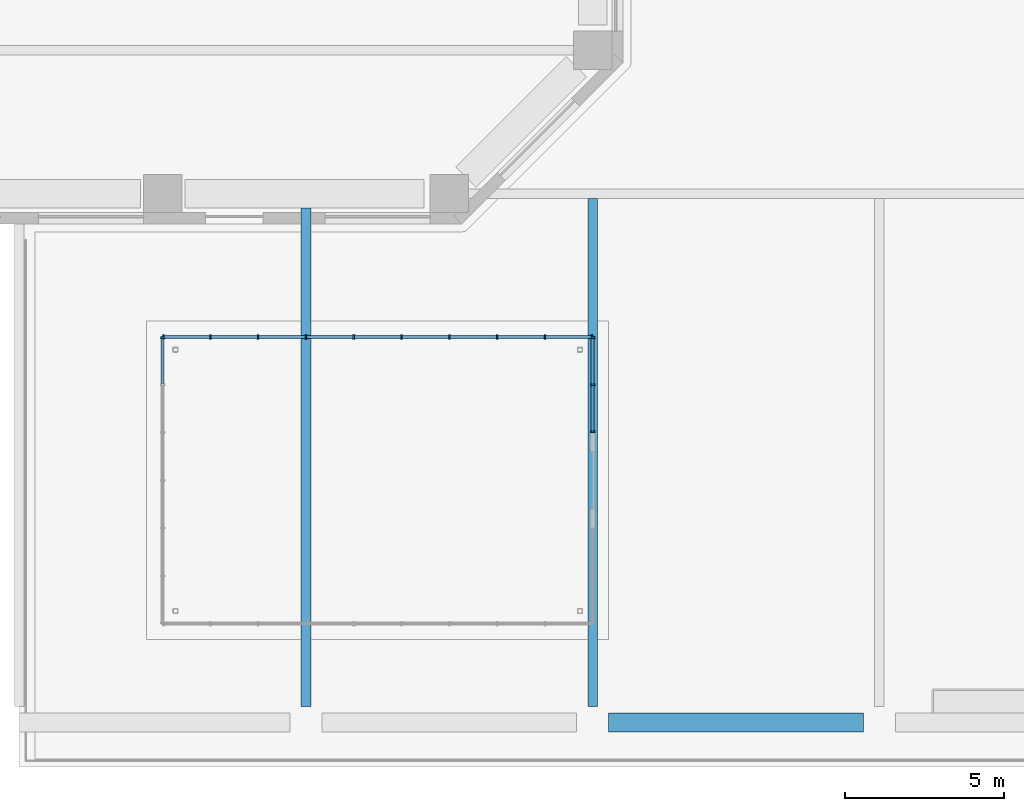
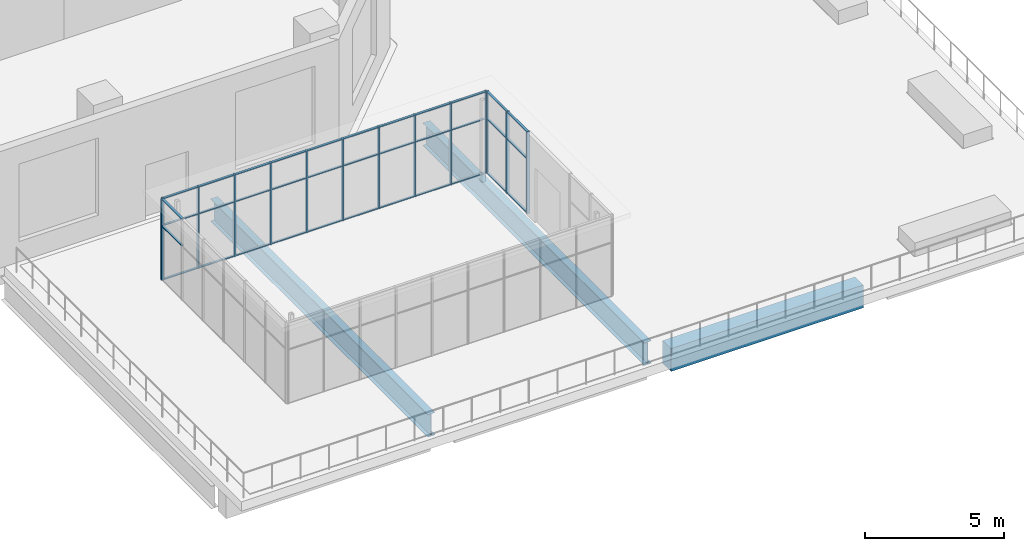
# One storey, part 10 of 33: 49 members, 3 beams, 3 elements without a shape of their own.
"""IFC4 building model written with IfcOpenShell, lengths in metres."""

from ifc_helpers import new_model, si_unit, direction, frame, origin, origin_2d, place, context, subcontext, project, spatial, rectangle, i_section, extrude, material, constituent, constituent_set, material_profile, profile_set, type_object, element, aggregate, save


model = new_model("IFC4")

# Units and contexts
model_context = context("Model", 3, precision=1e-05, world=origin(), true_north=direction((0.0, 1.0)))
body_context = subcontext(model_context, "Body", "Model", "MODEL_VIEW")
ifc_project = project(units=[si_unit("LENGTHUNIT", "METRE"), si_unit("AREAUNIT", "SQUARE_METRE"), si_unit("VOLUMEUNIT", "CUBIC_METRE"), si_unit("PLANEANGLEUNIT", "RADIAN"), si_unit("MASSUNIT", "GRAM", prefix="KILO")], contexts=[model_context])

# Site, building, storey
site_placement = place(None, origin())
site = spatial("IfcSite", under=ifc_project, at=site_placement, CompositionType="ELEMENT")
building_placement = place(site_placement, origin())
building = spatial("IfcBuilding", under=site, at=building_placement, Name="Quoin Convention Tower", CompositionType="ELEMENT")
storey_placement = place(building_placement, frame((0.0, 0.0, 8.0)))
storey = spatial("IfcBuildingStorey", under=building, at=storey_placement, Name="L01", CompositionType="ELEMENT", Elevation=8.0)

# Beams
ifc_material_1 = material(Name="Steel Grade 300", Category="steel")
ifc_material_profile_1 = material_profile(ifc_material_1, i_section(OverallWidth=0.300048828125, OverallDepth=1.0, WebThickness=0.01611328125, FlangeThickness=0.02001953125, at=origin_2d()), Name="1000WB215")
ifc_profile_set_1 = profile_set([ifc_material_profile_1], Name="Steel Grade 300")
beam_type_1 = type_object("IfcBeamType", Name="1000WB215", PredefinedType="BEAM", material=ifc_profile_set_1)
beam_1_placement = place(storey_placement, frame((72.0, 1.89990234375, -0.909912109375), z_axis=(0.0, 1.0, 0.0), x_axis=(-1.0, 0.0, 0.0)))
element("IfcBeam", 1, at=beam_1_placement, inside=storey, type_object=beam_type_1, Name="gir-L01-deck-N72000_1900", PredefinedType="BEAM", context=body_context, shape_type="SweptSolid", body=[
    extrude(i_section(OverallWidth=0.300048828125, OverallDepth=1.0, WebThickness=0.01611328125, FlangeThickness=0.02001953125, at=origin_2d()), origin(), (0.0, 0.0, 1.0), 15.650146484375),
])
beam_2_placement = place(storey_placement, frame((81.0, 1.89990234375, -0.909912109375), z_axis=(0.0, 1.0, 0.0), x_axis=(-1.0, 0.0, 0.0)))
element("IfcBeam", 2, at=beam_2_placement, inside=storey, type_object=beam_type_1, Name="gir-L01-deck-N81000_1900", PredefinedType="BEAM", context=body_context, shape_type="SweptSolid", body=[
    extrude(i_section(OverallWidth=0.300048828125, OverallDepth=1.0, WebThickness=0.01611328125, FlangeThickness=0.02001953125, at=origin_2d()), origin(), (0.0, 0.0, 1.0), 15.9501953125),
])

# Curtain wall, members
ifc_material_2 = material(Name="Aluminium", Category="aluminium")
ifc_constituent_1 = constituent(ifc_material_2, Name="Frame")
ifc_material_3 = material(Name="Insulated glass", Category="glass")
ifc_constituent_2 = constituent(ifc_material_3, Name="Glazing")
ifc_constituent_set = constituent_set(constituents=[ifc_constituent_1, ifc_constituent_2], Name="Aluminium")
curtain_wall_type = type_object("IfcCurtainWallType", Name="Garden pavilion glazing system", PredefinedType="NOTDEFINED", material=ifc_constituent_set)
curtain_wall_1_placement = place(storey_placement, origin())
curtain_wall_1 = element("IfcCurtainWall", 3, at=curtain_wall_1_placement, inside=storey, type_object=curtain_wall_type, Name="cw-PAV-E0-81000_10500", PredefinedType="NOTDEFINED")
ifc_material_profile_2 = material_profile(ifc_material_2, rectangle(XDim=0.1298828125, YDim=0.050048828125, at=origin_2d()), Name="Garden pavilion glazing mullion 50x130")
ifc_profile_set_2 = profile_set([ifc_material_profile_2], Name="Aluminium")
member_type_1 = type_object("IfcMemberType", Name="Garden pavilion glazing mullion 50x130", PredefinedType="MULLION", material=ifc_profile_set_2)
member_1_placement = place(storey_placement, frame((81.0, 10.52490234375, 0.0), z_axis=(0.0, 0.0, 1.0), x_axis=(-1.0, 0.0, 0.0)))
member_1 = element("IfcMember", 4, at=member_1_placement, type_object=member_type_1, Name="CW4 mullion 1", PredefinedType="MULLION", context=body_context, shape_type="SweptSolid", body=[
    extrude(rectangle(XDim=0.1298828125, YDim=0.050048828125, at=origin_2d()), origin(), (0.0, 0.0, 1.0), 3.60009765625),
])
member_2_placement = place(storey_placement, frame((81.0, 12.0, 0.0), z_axis=(0.0, 0.0, 1.0), x_axis=(-1.0, 0.0, 0.0)))
member_2 = element("IfcMember", 5, at=member_2_placement, type_object=member_type_1, Name="CW4 mullion 2", PredefinedType="MULLION", context=body_context, shape_type="SweptSolid", body=[
    extrude(rectangle(XDim=0.1298828125, YDim=0.050048828125, at=origin_2d()), origin(), (0.0, 0.0, 1.0), 3.60009765625),
])
member_3_placement = place(storey_placement, frame((81.0, 13.47509765625, 0.0), z_axis=(0.0, 0.0, 1.0), x_axis=(-1.0, 0.0, 0.0)))
member_3 = element("IfcMember", 6, at=member_3_placement, type_object=member_type_1, Name="CW4 mullion 3", PredefinedType="MULLION", context=body_context, shape_type="SweptSolid", body=[
    extrude(rectangle(XDim=0.1298828125, YDim=0.050048828125, at=origin_2d()), origin(), (0.0, 0.0, 1.0), 3.60009765625),
])

curtain_wall_2_placement = place(storey_placement, origin())
curtain_wall_2 = element("IfcCurtainWall", 7, at=curtain_wall_2_placement, inside=storey, type_object=curtain_wall_type, Name="cw-PAV-E1-81000_13500", PredefinedType="NOTDEFINED")
member_4_placement = place(storey_placement, frame((80.97509765625, 13.5, 0.0), z_axis=(0.0, 0.0, 1.0), x_axis=(0.0, -1.0, 0.0)))
member_4 = element("IfcMember", 8, at=member_4_placement, type_object=member_type_1, Name="CW4 mullion 1", PredefinedType="MULLION", context=body_context, shape_type="SweptSolid", body=[
    extrude(rectangle(XDim=0.1298828125, YDim=0.050048828125, at=origin_2d()), origin(), (0.0, 0.0, 1.0), 3.60009765625),
])
member_5_placement = place(storey_placement, frame((79.5, 13.5, 0.0), z_axis=(0.0, 0.0, 1.0), x_axis=(0.0, -1.0, 0.0)))
member_5 = element("IfcMember", 9, at=member_5_placement, type_object=member_type_1, Name="CW4 mullion 2", PredefinedType="MULLION", context=body_context, shape_type="SweptSolid", body=[
    extrude(rectangle(XDim=0.1298828125, YDim=0.050048828125, at=origin_2d()), origin(), (0.0, 0.0, 1.0), 3.60009765625),
])
member_6_placement = place(storey_placement, frame((78.0, 13.5, 0.0), z_axis=(0.0, 0.0, 1.0), x_axis=(0.0, -1.0, 0.0)))
member_6 = element("IfcMember", 10, at=member_6_placement, type_object=member_type_1, Name="CW4 mullion 3", PredefinedType="MULLION", context=body_context, shape_type="SweptSolid", body=[
    extrude(rectangle(XDim=0.1298828125, YDim=0.050048828125, at=origin_2d()), origin(), (0.0, 0.0, 1.0), 3.60009765625),
])
member_7_placement = place(storey_placement, frame((76.5, 13.5, 0.0), z_axis=(0.0, 0.0, 1.0), x_axis=(0.0, -1.0, 0.0)))
member_7 = element("IfcMember", 11, at=member_7_placement, type_object=member_type_1, Name="CW4 mullion 4", PredefinedType="MULLION", context=body_context, shape_type="SweptSolid", body=[
    extrude(rectangle(XDim=0.1298828125, YDim=0.050048828125, at=origin_2d()), origin(), (0.0, 0.0, 1.0), 3.60009765625),
])
member_8_placement = place(storey_placement, frame((75.0, 13.5, 0.0), z_axis=(0.0, 0.0, 1.0), x_axis=(0.0, -1.0, 0.0)))
member_8 = element("IfcMember", 12, at=member_8_placement, type_object=member_type_1, Name="CW4 mullion 5", PredefinedType="MULLION", context=body_context, shape_type="SweptSolid", body=[
    extrude(rectangle(XDim=0.1298828125, YDim=0.050048828125, at=origin_2d()), origin(), (0.0, 0.0, 1.0), 3.60009765625),
])
member_9_placement = place(storey_placement, frame((73.5, 13.5, 0.0), z_axis=(0.0, 0.0, 1.0), x_axis=(0.0, -1.0, 0.0)))
member_9 = element("IfcMember", 13, at=member_9_placement, type_object=member_type_1, Name="CW4 mullion 6", PredefinedType="MULLION", context=body_context, shape_type="SweptSolid", body=[
    extrude(rectangle(XDim=0.1298828125, YDim=0.050048828125, at=origin_2d()), origin(), (0.0, 0.0, 1.0), 3.60009765625),
])
member_10_placement = place(storey_placement, frame((72.0, 13.5, 0.0), z_axis=(0.0, 0.0, 1.0), x_axis=(0.0, -1.0, 0.0)))
member_10 = element("IfcMember", 14, at=member_10_placement, type_object=member_type_1, Name="CW4 mullion 7", PredefinedType="MULLION", context=body_context, shape_type="SweptSolid", body=[
    extrude(rectangle(XDim=0.1298828125, YDim=0.050048828125, at=origin_2d()), origin(), (0.0, 0.0, 1.0), 3.60009765625),
])
member_11_placement = place(storey_placement, frame((70.5, 13.5, 0.0), z_axis=(0.0, 0.0, 1.0), x_axis=(0.0, -1.0, 0.0)))
member_11 = element("IfcMember", 15, at=member_11_placement, type_object=member_type_1, Name="CW4 mullion 8", PredefinedType="MULLION", context=body_context, shape_type="SweptSolid", body=[
    extrude(rectangle(XDim=0.1298828125, YDim=0.050048828125, at=origin_2d()), origin(), (0.0, 0.0, 1.0), 3.60009765625),
])
member_12_placement = place(storey_placement, frame((69.0, 13.5, 0.0), z_axis=(0.0, 0.0, 1.0), x_axis=(0.0, -1.0, 0.0)))
member_12 = element("IfcMember", 16, at=member_12_placement, type_object=member_type_1, Name="CW4 mullion 9", PredefinedType="MULLION", context=body_context, shape_type="SweptSolid", body=[
    extrude(rectangle(XDim=0.1298828125, YDim=0.050048828125, at=origin_2d()), origin(), (0.0, 0.0, 1.0), 3.60009765625),
])
member_13_placement = place(storey_placement, frame((67.52490234375, 13.5, 0.0), z_axis=(0.0, 0.0, 1.0), x_axis=(0.0, -1.0, 0.0)))
member_13 = element("IfcMember", 17, at=member_13_placement, type_object=member_type_1, Name="CW4 mullion 10", PredefinedType="MULLION", context=body_context, shape_type="SweptSolid", body=[
    extrude(rectangle(XDim=0.1298828125, YDim=0.050048828125, at=origin_2d()), origin(), (0.0, 0.0, 1.0), 3.60009765625),
])

# Curtain wall, member
curtain_wall_3_placement = place(storey_placement, origin())
curtain_wall_3 = element("IfcCurtainWall", 18, at=curtain_wall_3_placement, inside=storey, type_object=curtain_wall_type, Name="cw-PAV-E2-67500_13500", PredefinedType="NOTDEFINED")
member_14_placement = place(storey_placement, frame((67.5, 13.47509765625, 0.0), z_axis=(0.0, 0.0, 1.0), x_axis=(1.0, 0.0, 0.0)))
member_14 = element("IfcMember", 19, at=member_14_placement, type_object=member_type_1, Name="CW4 mullion 1", PredefinedType="MULLION", context=body_context, shape_type="SweptSolid", body=[
    extrude(rectangle(XDim=0.1298828125, YDim=0.050048828125, at=origin_2d()), origin(), (0.0, 0.0, 1.0), 3.60009765625),
])

# Member
ifc_material_profile_3 = material_profile(ifc_material_2, rectangle(XDim=0.090087890625, YDim=0.0400390625, at=origin_2d()), Name="Garden pavilion glazing transom 40x90")
ifc_profile_set_3 = profile_set([ifc_material_profile_3], Name="Aluminium")
member_type_2 = type_object("IfcMemberType", Name="Garden pavilion glazing transom 40x90", PredefinedType="USERDEFINED", material=ifc_profile_set_3)
member_15_placement = place(storey_placement, frame((81.0, 10.550048828125, 0.02001953125), z_axis=(0.0, 1.0, 0.0), x_axis=(-1.0, 0.0, 0.0)))
member_15 = element("IfcMember", 20, at=member_15_placement, type_object=member_type_2, Name="CW4 transom 1.1", ObjectType="TRANSOM", PredefinedType="USERDEFINED", context=body_context, shape_type="SweptSolid", body=[
    extrude(rectangle(XDim=0.090087890625, YDim=0.0400390625, at=origin_2d()), origin(), (0.0, 0.0, 1.0), 1.425048828125),
])

member_16_placement = place(storey_placement, frame((81.0, 10.550048828125, 2.39990234375), z_axis=(0.0, 1.0, 0.0), x_axis=(-1.0, 0.0, 0.0)))
member_16 = element("IfcMember", 21, at=member_16_placement, type_object=member_type_2, Name="CW4 transom 1.2", ObjectType="TRANSOM", PredefinedType="USERDEFINED", context=body_context, shape_type="SweptSolid", body=[
    extrude(rectangle(XDim=0.090087890625, YDim=0.0400390625, at=origin_2d()), origin(), (0.0, 0.0, 1.0), 1.425048828125),
])

member_17_placement = place(storey_placement, frame((81.0, 10.550048828125, 3.580078125), z_axis=(0.0, 1.0, 0.0), x_axis=(-1.0, 0.0, 0.0)))
member_17 = element("IfcMember", 22, at=member_17_placement, type_object=member_type_2, Name="CW4 transom 1.3", ObjectType="TRANSOM", PredefinedType="USERDEFINED", context=body_context, shape_type="SweptSolid", body=[
    extrude(rectangle(XDim=0.090087890625, YDim=0.0400390625, at=origin_2d()), origin(), (0.0, 0.0, 1.0), 1.425048828125),
])

member_18_placement = place(storey_placement, frame((81.0, 12.02490234375, 0.02001953125), z_axis=(0.0, 1.0, 0.0), x_axis=(-1.0, 0.0, 0.0)))
member_18 = element("IfcMember", 23, at=member_18_placement, type_object=member_type_2, Name="CW4 transom 2.1", ObjectType="TRANSOM", PredefinedType="USERDEFINED", context=body_context, shape_type="SweptSolid", body=[
    extrude(rectangle(XDim=0.090087890625, YDim=0.0400390625, at=origin_2d()), origin(), (0.0, 0.0, 1.0), 1.425048828125),
])

member_19_placement = place(storey_placement, frame((81.0, 12.02490234375, 2.39990234375), z_axis=(0.0, 1.0, 0.0), x_axis=(-1.0, 0.0, 0.0)))
member_19 = element("IfcMember", 24, at=member_19_placement, type_object=member_type_2, Name="CW4 transom 2.2", ObjectType="TRANSOM", PredefinedType="USERDEFINED", context=body_context, shape_type="SweptSolid", body=[
    extrude(rectangle(XDim=0.090087890625, YDim=0.0400390625, at=origin_2d()), origin(), (0.0, 0.0, 1.0), 1.425048828125),
])

member_20_placement = place(storey_placement, frame((81.0, 12.02490234375, 3.580078125), z_axis=(0.0, 1.0, 0.0), x_axis=(-1.0, 0.0, 0.0)))
member_20 = element("IfcMember", 25, at=member_20_placement, type_object=member_type_2, Name="CW4 transom 2.3", ObjectType="TRANSOM", PredefinedType="USERDEFINED", context=body_context, shape_type="SweptSolid", body=[
    extrude(rectangle(XDim=0.090087890625, YDim=0.0400390625, at=origin_2d()), origin(), (0.0, 0.0, 1.0), 1.425048828125),
])

aggregate(curtain_wall_1, [member_1, member_2, member_3, member_15, member_16, member_17, member_18, member_19, member_20])

member_21_placement = place(storey_placement, frame((80.949951171875, 13.5, 0.02001953125), z_axis=(-1.0, 0.0, 0.0), x_axis=(0.0, -1.0, 0.0)))
member_21 = element("IfcMember", 26, at=member_21_placement, type_object=member_type_2, Name="CW4 transom 1.1", ObjectType="TRANSOM", PredefinedType="USERDEFINED", context=body_context, shape_type="SweptSolid", body=[
    extrude(rectangle(XDim=0.090087890625, YDim=0.0400390625, at=origin_2d()), origin(), (0.0, 0.0, 1.0), 1.425048828125),
])

member_22_placement = place(storey_placement, frame((80.949951171875, 13.5, 2.39990234375), z_axis=(-1.0, 0.0, 0.0), x_axis=(0.0, -1.0, 0.0)))
member_22 = element("IfcMember", 27, at=member_22_placement, type_object=member_type_2, Name="CW4 transom 1.2", ObjectType="TRANSOM", PredefinedType="USERDEFINED", context=body_context, shape_type="SweptSolid", body=[
    extrude(rectangle(XDim=0.090087890625, YDim=0.0400390625, at=origin_2d()), origin(), (0.0, 0.0, 1.0), 1.425048828125),
])

member_23_placement = place(storey_placement, frame((80.949951171875, 13.5, 3.580078125), z_axis=(-1.0, 0.0, 0.0), x_axis=(0.0, -1.0, 0.0)))
member_23 = element("IfcMember", 28, at=member_23_placement, type_object=member_type_2, Name="CW4 transom 1.3", ObjectType="TRANSOM", PredefinedType="USERDEFINED", context=body_context, shape_type="SweptSolid", body=[
    extrude(rectangle(XDim=0.090087890625, YDim=0.0400390625, at=origin_2d()), origin(), (0.0, 0.0, 1.0), 1.425048828125),
])

member_24_placement = place(storey_placement, frame((79.47509765625, 13.5, 0.02001953125), z_axis=(-1.0, 0.0, 0.0), x_axis=(0.0, -1.0, 0.0)))
member_24 = element("IfcMember", 29, at=member_24_placement, type_object=member_type_2, Name="CW4 transom 2.1", ObjectType="TRANSOM", PredefinedType="USERDEFINED", context=body_context, shape_type="SweptSolid", body=[
    extrude(rectangle(XDim=0.090087890625, YDim=0.0400390625, at=origin_2d()), origin(), (0.0, 0.0, 1.0), 1.4501953125),
])

member_25_placement = place(storey_placement, frame((79.47509765625, 13.5, 2.39990234375), z_axis=(-1.0, 0.0, 0.0), x_axis=(0.0, -1.0, 0.0)))
member_25 = element("IfcMember", 30, at=member_25_placement, type_object=member_type_2, Name="CW4 transom 2.2", ObjectType="TRANSOM", PredefinedType="USERDEFINED", context=body_context, shape_type="SweptSolid", body=[
    extrude(rectangle(XDim=0.090087890625, YDim=0.0400390625, at=origin_2d()), origin(), (0.0, 0.0, 1.0), 1.4501953125),
])

member_26_placement = place(storey_placement, frame((79.47509765625, 13.5, 3.580078125), z_axis=(-1.0, 0.0, 0.0), x_axis=(0.0, -1.0, 0.0)))
member_26 = element("IfcMember", 31, at=member_26_placement, type_object=member_type_2, Name="CW4 transom 2.3", ObjectType="TRANSOM", PredefinedType="USERDEFINED", context=body_context, shape_type="SweptSolid", body=[
    extrude(rectangle(XDim=0.090087890625, YDim=0.0400390625, at=origin_2d()), origin(), (0.0, 0.0, 1.0), 1.4501953125),
])

member_27_placement = place(storey_placement, frame((77.97509765625, 13.5, 0.02001953125), z_axis=(-1.0, 0.0, 0.0), x_axis=(0.0, -1.0, 0.0)))
member_27 = element("IfcMember", 32, at=member_27_placement, type_object=member_type_2, Name="CW4 transom 3.1", ObjectType="TRANSOM", PredefinedType="USERDEFINED", context=body_context, shape_type="SweptSolid", body=[
    extrude(rectangle(XDim=0.090087890625, YDim=0.0400390625, at=origin_2d()), origin(), (0.0, 0.0, 1.0), 1.4501953125),
])

member_28_placement = place(storey_placement, frame((77.97509765625, 13.5, 2.39990234375), z_axis=(-1.0, 0.0, 0.0), x_axis=(0.0, -1.0, 0.0)))
member_28 = element("IfcMember", 33, at=member_28_placement, type_object=member_type_2, Name="CW4 transom 3.2", ObjectType="TRANSOM", PredefinedType="USERDEFINED", context=body_context, shape_type="SweptSolid", body=[
    extrude(rectangle(XDim=0.090087890625, YDim=0.0400390625, at=origin_2d()), origin(), (0.0, 0.0, 1.0), 1.4501953125),
])

member_29_placement = place(storey_placement, frame((77.97509765625, 13.5, 3.580078125), z_axis=(-1.0, 0.0, 0.0), x_axis=(0.0, -1.0, 0.0)))
member_29 = element("IfcMember", 34, at=member_29_placement, type_object=member_type_2, Name="CW4 transom 3.3", ObjectType="TRANSOM", PredefinedType="USERDEFINED", context=body_context, shape_type="SweptSolid", body=[
    extrude(rectangle(XDim=0.090087890625, YDim=0.0400390625, at=origin_2d()), origin(), (0.0, 0.0, 1.0), 1.4501953125),
])

member_30_placement = place(storey_placement, frame((76.47509765625, 13.5, 0.02001953125), z_axis=(-1.0, 0.0, 0.0), x_axis=(0.0, -1.0, 0.0)))
member_30 = element("IfcMember", 35, at=member_30_placement, type_object=member_type_2, Name="CW4 transom 4.1", ObjectType="TRANSOM", PredefinedType="USERDEFINED", context=body_context, shape_type="SweptSolid", body=[
    extrude(rectangle(XDim=0.090087890625, YDim=0.0400390625, at=origin_2d()), origin(), (0.0, 0.0, 1.0), 1.4501953125),
])

member_31_placement = place(storey_placement, frame((76.47509765625, 13.5, 2.39990234375), z_axis=(-1.0, 0.0, 0.0), x_axis=(0.0, -1.0, 0.0)))
member_31 = element("IfcMember", 36, at=member_31_placement, type_object=member_type_2, Name="CW4 transom 4.2", ObjectType="TRANSOM", PredefinedType="USERDEFINED", context=body_context, shape_type="SweptSolid", body=[
    extrude(rectangle(XDim=0.090087890625, YDim=0.0400390625, at=origin_2d()), origin(), (0.0, 0.0, 1.0), 1.4501953125),
])

member_32_placement = place(storey_placement, frame((76.47509765625, 13.5, 3.580078125), z_axis=(-1.0, 0.0, 0.0), x_axis=(0.0, -1.0, 0.0)))
member_32 = element("IfcMember", 37, at=member_32_placement, type_object=member_type_2, Name="CW4 transom 4.3", ObjectType="TRANSOM", PredefinedType="USERDEFINED", context=body_context, shape_type="SweptSolid", body=[
    extrude(rectangle(XDim=0.090087890625, YDim=0.0400390625, at=origin_2d()), origin(), (0.0, 0.0, 1.0), 1.4501953125),
])

member_33_placement = place(storey_placement, frame((74.97509765625, 13.5, 0.02001953125), z_axis=(-1.0, 0.0, 0.0), x_axis=(0.0, -1.0, 0.0)))
member_33 = element("IfcMember", 38, at=member_33_placement, type_object=member_type_2, Name="CW4 transom 5.1", ObjectType="TRANSOM", PredefinedType="USERDEFINED", context=body_context, shape_type="SweptSolid", body=[
    extrude(rectangle(XDim=0.090087890625, YDim=0.0400390625, at=origin_2d()), origin(), (0.0, 0.0, 1.0), 1.4501953125),
])

member_34_placement = place(storey_placement, frame((74.97509765625, 13.5, 2.39990234375), z_axis=(-1.0, 0.0, 0.0), x_axis=(0.0, -1.0, 0.0)))
member_34 = element("IfcMember", 39, at=member_34_placement, type_object=member_type_2, Name="CW4 transom 5.2", ObjectType="TRANSOM", PredefinedType="USERDEFINED", context=body_context, shape_type="SweptSolid", body=[
    extrude(rectangle(XDim=0.090087890625, YDim=0.0400390625, at=origin_2d()), origin(), (0.0, 0.0, 1.0), 1.4501953125),
])

member_35_placement = place(storey_placement, frame((74.97509765625, 13.5, 3.580078125), z_axis=(-1.0, 0.0, 0.0), x_axis=(0.0, -1.0, 0.0)))
member_35 = element("IfcMember", 40, at=member_35_placement, type_object=member_type_2, Name="CW4 transom 5.3", ObjectType="TRANSOM", PredefinedType="USERDEFINED", context=body_context, shape_type="SweptSolid", body=[
    extrude(rectangle(XDim=0.090087890625, YDim=0.0400390625, at=origin_2d()), origin(), (0.0, 0.0, 1.0), 1.4501953125),
])

member_36_placement = place(storey_placement, frame((73.47509765625, 13.5, 0.02001953125), z_axis=(-1.0, 0.0, 0.0), x_axis=(0.0, -1.0, 0.0)))
member_36 = element("IfcMember", 41, at=member_36_placement, type_object=member_type_2, Name="CW4 transom 6.1", ObjectType="TRANSOM", PredefinedType="USERDEFINED", context=body_context, shape_type="SweptSolid", body=[
    extrude(rectangle(XDim=0.090087890625, YDim=0.0400390625, at=origin_2d()), origin(), (0.0, 0.0, 1.0), 1.4501953125),
])

member_37_placement = place(storey_placement, frame((73.47509765625, 13.5, 2.39990234375), z_axis=(-1.0, 0.0, 0.0), x_axis=(0.0, -1.0, 0.0)))
member_37 = element("IfcMember", 42, at=member_37_placement, type_object=member_type_2, Name="CW4 transom 6.2", ObjectType="TRANSOM", PredefinedType="USERDEFINED", context=body_context, shape_type="SweptSolid", body=[
    extrude(rectangle(XDim=0.090087890625, YDim=0.0400390625, at=origin_2d()), origin(), (0.0, 0.0, 1.0), 1.4501953125),
])

member_38_placement = place(storey_placement, frame((73.47509765625, 13.5, 3.580078125), z_axis=(-1.0, 0.0, 0.0), x_axis=(0.0, -1.0, 0.0)))
member_38 = element("IfcMember", 43, at=member_38_placement, type_object=member_type_2, Name="CW4 transom 6.3", ObjectType="TRANSOM", PredefinedType="USERDEFINED", context=body_context, shape_type="SweptSolid", body=[
    extrude(rectangle(XDim=0.090087890625, YDim=0.0400390625, at=origin_2d()), origin(), (0.0, 0.0, 1.0), 1.4501953125),
])

member_39_placement = place(storey_placement, frame((71.97509765625, 13.5, 0.02001953125), z_axis=(-1.0, 0.0, 0.0), x_axis=(0.0, -1.0, 0.0)))
member_39 = element("IfcMember", 44, at=member_39_placement, type_object=member_type_2, Name="CW4 transom 7.1", ObjectType="TRANSOM", PredefinedType="USERDEFINED", context=body_context, shape_type="SweptSolid", body=[
    extrude(rectangle(XDim=0.090087890625, YDim=0.0400390625, at=origin_2d()), origin(), (0.0, 0.0, 1.0), 1.4501953125),
])

member_40_placement = place(storey_placement, frame((71.97509765625, 13.5, 2.39990234375), z_axis=(-1.0, 0.0, 0.0), x_axis=(0.0, -1.0, 0.0)))
member_40 = element("IfcMember", 45, at=member_40_placement, type_object=member_type_2, Name="CW4 transom 7.2", ObjectType="TRANSOM", PredefinedType="USERDEFINED", context=body_context, shape_type="SweptSolid", body=[
    extrude(rectangle(XDim=0.090087890625, YDim=0.0400390625, at=origin_2d()), origin(), (0.0, 0.0, 1.0), 1.4501953125),
])

member_41_placement = place(storey_placement, frame((71.97509765625, 13.5, 3.580078125), z_axis=(-1.0, 0.0, 0.0), x_axis=(0.0, -1.0, 0.0)))
member_41 = element("IfcMember", 46, at=member_41_placement, type_object=member_type_2, Name="CW4 transom 7.3", ObjectType="TRANSOM", PredefinedType="USERDEFINED", context=body_context, shape_type="SweptSolid", body=[
    extrude(rectangle(XDim=0.090087890625, YDim=0.0400390625, at=origin_2d()), origin(), (0.0, 0.0, 1.0), 1.4501953125),
])

member_42_placement = place(storey_placement, frame((70.47509765625, 13.5, 0.02001953125), z_axis=(-1.0, 0.0, 0.0), x_axis=(0.0, -1.0, 0.0)))
member_42 = element("IfcMember", 47, at=member_42_placement, type_object=member_type_2, Name="CW4 transom 8.1", ObjectType="TRANSOM", PredefinedType="USERDEFINED", context=body_context, shape_type="SweptSolid", body=[
    extrude(rectangle(XDim=0.090087890625, YDim=0.0400390625, at=origin_2d()), origin(), (0.0, 0.0, 1.0), 1.4501953125),
])

member_43_placement = place(storey_placement, frame((70.47509765625, 13.5, 2.39990234375), z_axis=(-1.0, 0.0, 0.0), x_axis=(0.0, -1.0, 0.0)))
member_43 = element("IfcMember", 48, at=member_43_placement, type_object=member_type_2, Name="CW4 transom 8.2", ObjectType="TRANSOM", PredefinedType="USERDEFINED", context=body_context, shape_type="SweptSolid", body=[
    extrude(rectangle(XDim=0.090087890625, YDim=0.0400390625, at=origin_2d()), origin(), (0.0, 0.0, 1.0), 1.4501953125),
])

member_44_placement = place(storey_placement, frame((70.47509765625, 13.5, 3.580078125), z_axis=(-1.0, 0.0, 0.0), x_axis=(0.0, -1.0, 0.0)))
member_44 = element("IfcMember", 49, at=member_44_placement, type_object=member_type_2, Name="CW4 transom 8.3", ObjectType="TRANSOM", PredefinedType="USERDEFINED", context=body_context, shape_type="SweptSolid", body=[
    extrude(rectangle(XDim=0.090087890625, YDim=0.0400390625, at=origin_2d()), origin(), (0.0, 0.0, 1.0), 1.4501953125),
])

member_45_placement = place(storey_placement, frame((68.97509765625, 13.5, 0.02001953125), z_axis=(-1.0, 0.0, 0.0), x_axis=(0.0, -1.0, 0.0)))
member_45 = element("IfcMember", 50, at=member_45_placement, type_object=member_type_2, Name="CW4 transom 9.1", ObjectType="TRANSOM", PredefinedType="USERDEFINED", context=body_context, shape_type="SweptSolid", body=[
    extrude(rectangle(XDim=0.090087890625, YDim=0.0400390625, at=origin_2d()), origin(), (0.0, 0.0, 1.0), 1.425048828125),
])

member_46_placement = place(storey_placement, frame((68.97509765625, 13.5, 2.39990234375), z_axis=(-1.0, 0.0, 0.0), x_axis=(0.0, -1.0, 0.0)))
member_46 = element("IfcMember", 51, at=member_46_placement, type_object=member_type_2, Name="CW4 transom 9.2", ObjectType="TRANSOM", PredefinedType="USERDEFINED", context=body_context, shape_type="SweptSolid", body=[
    extrude(rectangle(XDim=0.090087890625, YDim=0.0400390625, at=origin_2d()), origin(), (0.0, 0.0, 1.0), 1.425048828125),
])

member_47_placement = place(storey_placement, frame((68.97509765625, 13.5, 3.580078125), z_axis=(-1.0, 0.0, 0.0), x_axis=(0.0, -1.0, 0.0)))
member_47 = element("IfcMember", 52, at=member_47_placement, type_object=member_type_2, Name="CW4 transom 9.3", ObjectType="TRANSOM", PredefinedType="USERDEFINED", context=body_context, shape_type="SweptSolid", body=[
    extrude(rectangle(XDim=0.090087890625, YDim=0.0400390625, at=origin_2d()), origin(), (0.0, 0.0, 1.0), 1.425048828125),
])

aggregate(curtain_wall_2, [member_4, member_5, member_6, member_7, member_8, member_9, member_10, member_11, member_12, member_13, member_21, member_22, member_23, member_24, member_25, member_26, member_27, member_28, member_29, member_30, member_31, member_32, member_33, member_34, member_35, member_36, member_37, member_38, member_39, member_40, member_41, member_42, member_43, member_44, member_45, member_46, member_47])

member_48_placement = place(storey_placement, frame((67.5, 13.449951171875, 2.39990234375), z_axis=(0.0, -1.0, 0.0), x_axis=(1.0, 0.0, 0.0)))
member_48 = element("IfcMember", 53, at=member_48_placement, type_object=member_type_2, Name="CW4 transom 1.2", ObjectType="TRANSOM", PredefinedType="USERDEFINED", context=body_context, shape_type="SweptSolid", body=[
    extrude(rectangle(XDim=0.090087890625, YDim=0.0400390625, at=origin_2d()), origin(), (0.0, 0.0, 1.0), 1.425048828125),
])

member_49_placement = place(storey_placement, frame((67.5, 13.449951171875, 3.580078125), z_axis=(0.0, -1.0, 0.0), x_axis=(1.0, 0.0, 0.0)))
member_49 = element("IfcMember", 54, at=member_49_placement, type_object=member_type_2, Name="CW4 transom 1.3", ObjectType="TRANSOM", PredefinedType="USERDEFINED", context=body_context, shape_type="SweptSolid", body=[
    extrude(rectangle(XDim=0.090087890625, YDim=0.0400390625, at=origin_2d()), origin(), (0.0, 0.0, 1.0), 1.425048828125),
])

aggregate(curtain_wall_3, [member_14, member_48, member_49])

# Beam
ifc_material_4 = material(Name="Concrete C100 (100 MPa)", Category="concrete")
ifc_material_profile_4 = material_profile(ifc_material_4, rectangle(XDim=0.60009765625, YDim=1.0, at=origin_2d()), Name="RC 600x1000")
ifc_profile_set_4 = profile_set([ifc_material_profile_4], Name="Concrete C100 (100 MPa)")
beam_type_2 = type_object("IfcBeamType", Name="RC 600x1000 C100", PredefinedType="SPANDREL", material=ifc_profile_set_4)
beam_3_placement = place(storey_placement, frame((81.5, 1.39990234375, -0.909912109375), z_axis=(1.0, 0.0, 0.0), x_axis=(0.0, 1.0, 0.0)))
element("IfcBeam", 55, at=beam_3_placement, inside=storey, type_object=beam_type_2, Name="spd-L01-edge-81000_1400-90000_1400", PredefinedType="SPANDREL", context=body_context, shape_type="SweptSolid", body=[
    extrude(rectangle(XDim=0.60009765625, YDim=1.0, at=origin_2d()), origin(), (0.0, 0.0, 1.0), 8.0),
])

save(model, "model.ifc")
